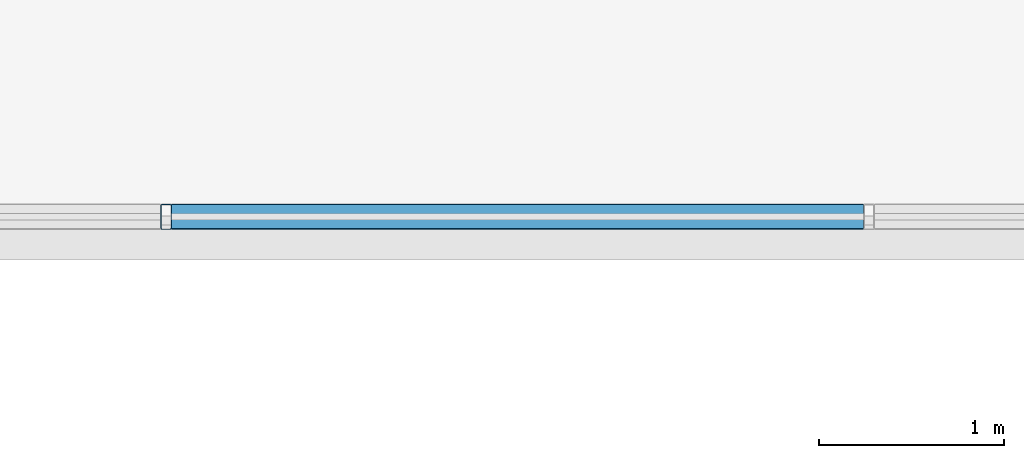
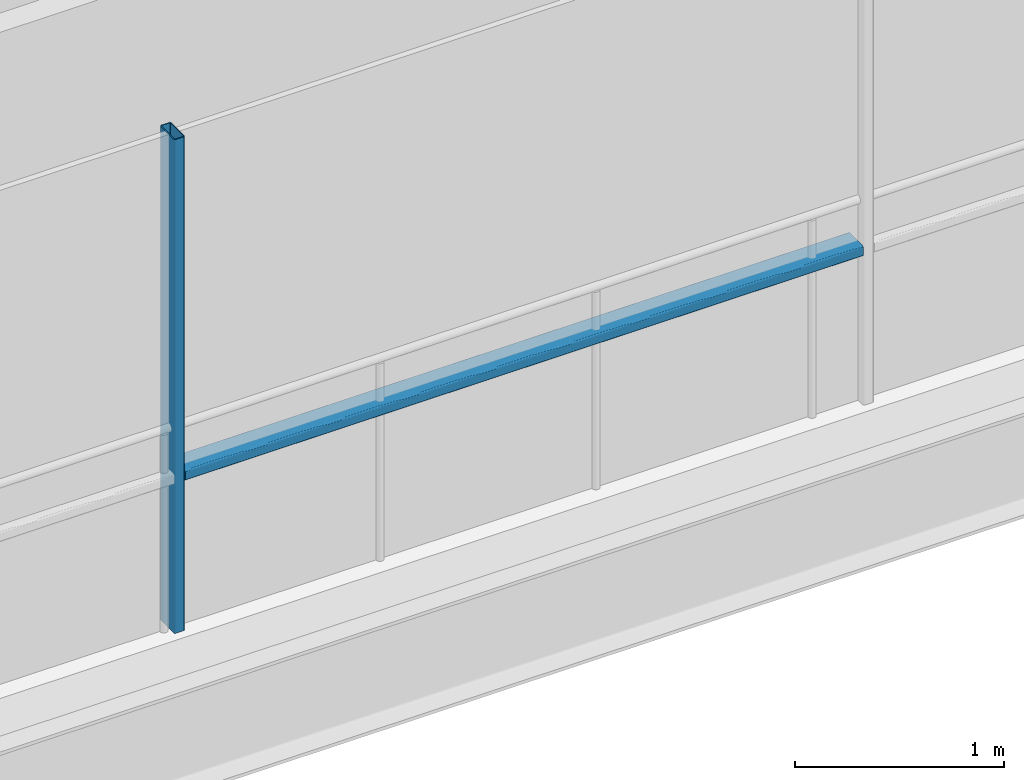
# One storey, part 13 of 41: 2 members, 1 element without a shape of its own.
"""IFC4 building model written with IfcOpenShell, lengths in metres."""

from ifc_helpers import new_model, si_unit, direction, frame, origin, origin_2d, place, context, subcontext, project, spatial, hollow_rectangle, extrude, material, layer, layer_set, material_profile, profile_set, type_object, element, aggregate, save


model = new_model("IFC4")

# Units and contexts
model_context = context("Model", 3, precision=1e-05, world=origin(), true_north=direction((0.0, 1.0)))
body_context = subcontext(model_context, "Body", "Model", "MODEL_VIEW")
ifc_project = project(units=[si_unit("LENGTHUNIT", "METRE"), si_unit("AREAUNIT", "SQUARE_METRE"), si_unit("VOLUMEUNIT", "CUBIC_METRE"), si_unit("PLANEANGLEUNIT", "RADIAN"), si_unit("MASSUNIT", "GRAM", prefix="KILO")], contexts=[model_context])

# Site, building, storey
site_placement = place(None, origin())
site = spatial("IfcSite", under=ifc_project, at=site_placement, CompositionType="ELEMENT")
building_placement = place(site_placement, origin())
building = spatial("IfcBuilding", under=site, at=building_placement, Name="Brevholm Reach", CompositionType="ELEMENT")
storey_placement = place(building_placement, frame((0.0, 0.0, 157.300048828125)))
storey = spatial("IfcBuildingStorey", under=building, at=storey_placement, Name="L47", CompositionType="ELEMENT", Elevation=157.300048828125)

# Curtain wall, members
ifc_material_1 = material(Name="Dark Anodised Aluminium 6063-T6 and Solar-Control Glass", Category="aluminium")
ifc_layer = layer(ifc_material_1, 0.139892578125)
ifc_layer_set = layer_set([ifc_layer], Name="Dark Anodised Aluminium 6063-T6 and Solar-Control Glass")
curtain_wall_type = type_object("IfcCurtainWallType", Name="CW-02", PredefinedType="NOTDEFINED", material=ifc_layer_set)
curtain_wall_placement = place(storey_placement, origin())
curtain_wall = element("IfcCurtainWall", 1, at=curtain_wall_placement, inside=storey, type_object=curtain_wall_type, Name="L47 Curtain Wall CW-02", PredefinedType="NOTDEFINED")
ifc_material_2 = material(Name="Dark Anodised Aluminium 6063-T6", Category="aluminium")
ifc_material_profile_1 = material_profile(ifc_material_2, hollow_rectangle(XDim=0.06005859375, YDim=0.139892578125, WallThickness=0.0048828125, InnerFilletRadius=0.0048828125, OuterFilletRadius=0.010009765625, at=origin_2d()), Name="RHS 140x60x5")
ifc_profile_set_1 = profile_set([ifc_material_profile_1], Name="Dark Anodised Aluminium 6063-T6")
member_type_1 = type_object("IfcMemberType", Name="CWM-140", PredefinedType="MULLION", material=ifc_profile_set_1)
member_1_placement = place(storey_placement, frame((30.050048828125, 26.6201171875, 0.0), z_axis=(0.0, 0.0, 1.0), x_axis=(-1.0, 0.0, 0.0)))
member_1 = element("IfcMember", 2, at=member_1_placement, type_object=member_type_1, Name="CM-140 Mullion 3", PredefinedType="MULLION", context=body_context, shape_type="SweptSolid", body=[
    extrude(hollow_rectangle(XDim=0.06005859375, YDim=0.139892578125, WallThickness=0.0048828125, InnerFilletRadius=0.0048828125, OuterFilletRadius=0.010009765625, at=origin_2d()), origin(), (0.0, 0.0, 1.0), 2.8798828125),
])
ifc_material_3 = material(Name="Dark Anodised Aluminium 6063-T6", Category="aluminium")
ifc_material_profile_2 = material_profile(ifc_material_3, hollow_rectangle(XDim=0.06005859375, YDim=0.139892578125, WallThickness=0.0048828125, InnerFilletRadius=0.0048828125, OuterFilletRadius=0.010009765625, at=origin_2d()), Name="RHS 140x60x5")
ifc_profile_set_2 = profile_set([ifc_material_profile_2], Name="Dark Anodised Aluminium 6063-T6")
member_type_2 = type_object("IfcMemberType", Name="CWT-140", PredefinedType="NOTDEFINED", material=ifc_profile_set_2)
member_2_placement = place(storey_placement, frame((33.820068359375, 26.6201171875, 0.89990234375), z_axis=(-1.0, 0.0, 0.0), x_axis=(0.0, 0.0, 1.0)))
member_2 = element("IfcMember", 3, at=member_2_placement, type_object=member_type_2, Name="CT-140 Transom 2.1", ObjectType="TRANSOM", PredefinedType="USERDEFINED", context=body_context, shape_type="SweptSolid", body=[
    extrude(hollow_rectangle(XDim=0.06005859375, YDim=0.139892578125, WallThickness=0.0048828125, InnerFilletRadius=0.0048828125, OuterFilletRadius=0.010009765625, at=origin_2d()), origin(), (0.0, 0.0, 1.0), 3.739990234375),
])
aggregate(curtain_wall, [member_1, member_2])

save(model, "model.ifc")
